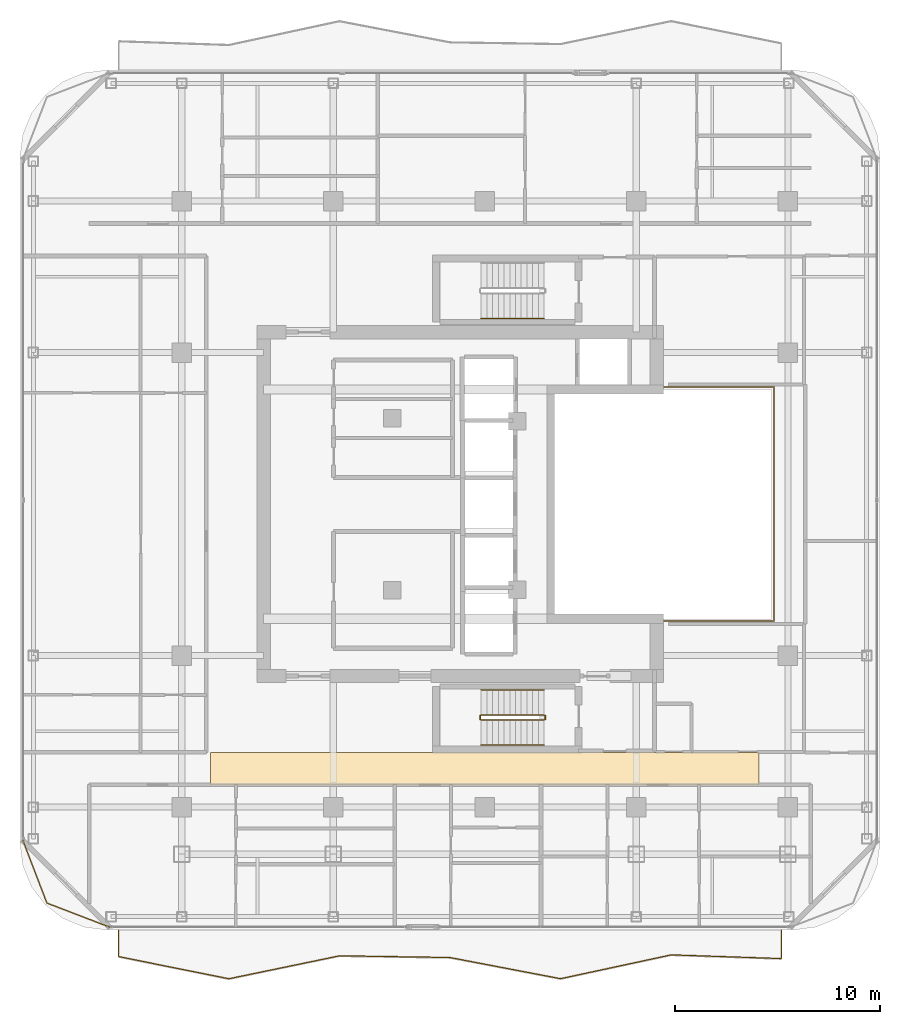
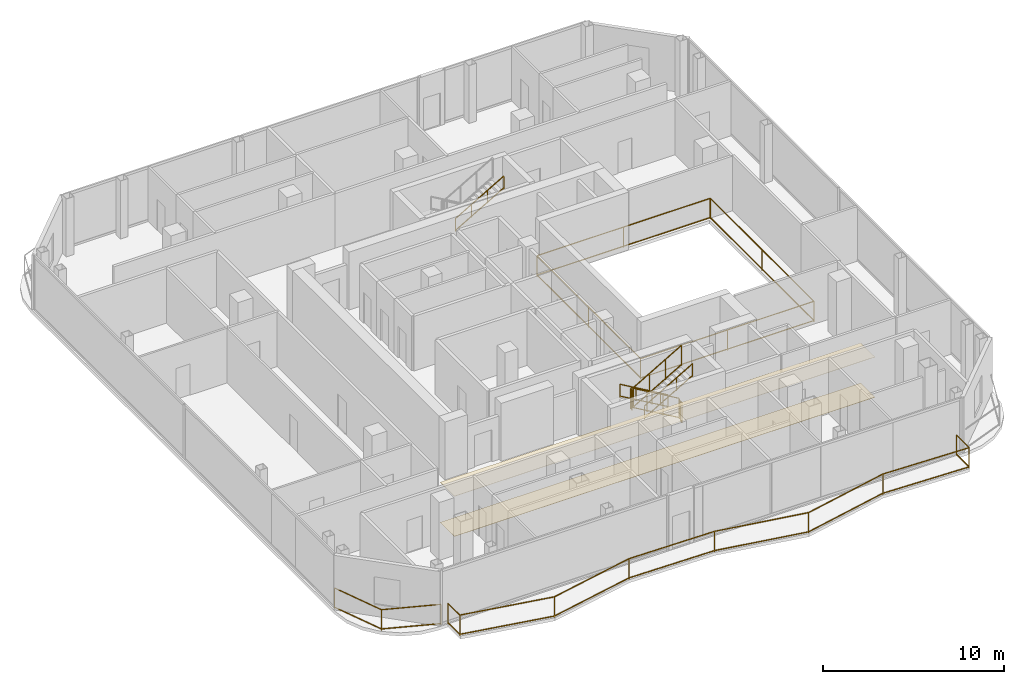
# One storey, part 20 of 22: 10 railings, 2 coverings.
"""IFC4 building model written with IfcOpenShell, lengths in metres."""

from ifc_helpers import new_model, si_unit, direction, frame, origin, origin_2d, place, context, subcontext, project, spatial, polyline, rectangle, outline, extrude, material, layer, layer_set, type_object, element, save


model = new_model("IFC4")

# Units and contexts
model_context = context("Model", 3, precision=1e-05, world=origin(), true_north=direction((0.0, 1.0)))
body_context = subcontext(model_context, "Body", "Model", "MODEL_VIEW")
ifc_project = project(units=[si_unit("LENGTHUNIT", "METRE"), si_unit("AREAUNIT", "SQUARE_METRE"), si_unit("VOLUMEUNIT", "CUBIC_METRE"), si_unit("PLANEANGLEUNIT", "RADIAN"), si_unit("MASSUNIT", "GRAM", prefix="KILO")], contexts=[model_context])

# Site, building, storey
site_placement = place(None, origin())
site = spatial("IfcSite", under=ifc_project, at=site_placement, CompositionType="ELEMENT")
building_placement = place(site_placement, origin())
building = spatial("IfcBuilding", under=site, at=building_placement, Name="Khorvyn Point Tower", CompositionType="ELEMENT")
storey_placement = place(building_placement, frame((0.0, 0.0, 305.39990234375)))
storey = spatial("IfcBuildingStorey", under=building, at=storey_placement, Name="L75", CompositionType="ELEMENT", Elevation=305.39990234375)

# Railings
ifc_material_1 = material(Name="Stainless steel 1.4401 and laminated glass", Category="steel")
railing_type_1 = type_object("IfcRailingType", Name="Crystal Atrium Smoke-Rated Perimeter Guardrail 1400", PredefinedType="GUARDRAIL", material=ifc_material_1)
railing_1_placement = place(storey_placement, frame((3.080078125, -5.719970703125, 0.0)))
element("IfcRailing", 1, at=railing_1_placement, inside=storey, type_object=railing_type_1, Name="L75 Crystal Atrium Perimeter Guardrail", PredefinedType="GUARDRAIL", context=body_context, shape_type="SweptSolid", body=[
    extrude(rectangle(XDim=0.048095703125, YDim=0.048095703125, at=origin_2d()), frame((0.0, 0.0, 1.3759765625), z_axis=(1.0, 0.0, 0.0), x_axis=(0.0, 1.0, 0.0)), (0.0, 0.0, 1.0), 11.0400390625),
    extrude(rectangle(XDim=0.048095703125, YDim=0.048095703125, at=origin_2d()), frame((0.0, 0.0, 0.080078125), z_axis=(1.0, 0.0, 0.0), x_axis=(0.0, 1.0, 0.0)), (0.0, 0.0, 1.0), 11.0400390625),
    extrude(rectangle(XDim=0.048095703125, YDim=0.048095703125, at=origin_2d()), frame((11.0400390625, 0.0, 1.3759765625), z_axis=(0.0, 1.0, 0.0), x_axis=(-1.0, 0.0, 0.0)), (0.0, 0.0, 1.0), 11.43994140625),
    extrude(rectangle(XDim=0.048095703125, YDim=0.048095703125, at=origin_2d()), frame((11.0400390625, 0.0, 0.080078125), z_axis=(0.0, 1.0, 0.0), x_axis=(-1.0, 0.0, 0.0)), (0.0, 0.0, 1.0), 11.43994140625),
    extrude(rectangle(XDim=0.048095703125, YDim=0.048095703125, at=origin_2d()), frame((11.0400390625, 11.43994140625, 1.3759765625), z_axis=(-1.0, 0.0, 0.0), x_axis=(0.0, -1.0, 0.0)), (0.0, 0.0, 1.0), 11.0400390625),
    extrude(rectangle(XDim=0.048095703125, YDim=0.048095703125, at=origin_2d()), frame((11.0400390625, 11.43994140625, 0.080078125), z_axis=(-1.0, 0.0, 0.0), x_axis=(0.0, -1.0, 0.0)), (0.0, 0.0, 1.0), 11.0400390625),
    extrude(rectangle(XDim=0.048095703125, YDim=0.048095703125, at=origin_2d()), frame((0.0, 11.43994140625, 1.3759765625), z_axis=(0.0, -1.0, 0.0), x_axis=(1.0, 0.0, 0.0)), (0.0, 0.0, 1.0), 11.409912109375),
    extrude(rectangle(XDim=0.048095703125, YDim=0.048095703125, at=origin_2d()), frame((0.0, 11.43994140625, 0.080078125), z_axis=(0.0, -1.0, 0.0), x_axis=(1.0, 0.0, 0.0)), (0.0, 0.0, 1.0), 11.409912109375),
    extrude(rectangle(XDim=0.0419921875, YDim=0.0419921875, at=origin_2d()), origin(), (0.0, 0.0, 1.0), 1.351806640625),
    extrude(rectangle(XDim=0.0419921875, YDim=0.0419921875, at=origin_2d()), frame((5.52001953125, 0.0, 0.0)), (0.0, 0.0, 1.0), 1.351806640625),
    extrude(rectangle(XDim=0.0419921875, YDim=0.0419921875, at=origin_2d()), frame((11.0400390625, 0.0, 0.0)), (0.0, 0.0, 1.0), 1.351806640625),
    extrude(rectangle(XDim=0.0419921875, YDim=0.0419921875, at=origin_2d()), frame((11.0400390625, 5.719970703125, 0.0)), (0.0, 0.0, 1.0), 1.351806640625),
    extrude(rectangle(XDim=0.0419921875, YDim=0.0419921875, at=origin_2d()), frame((11.0400390625, 11.43994140625, 0.0)), (0.0, 0.0, 1.0), 1.351806640625),
    extrude(rectangle(XDim=0.0419921875, YDim=0.0419921875, at=origin_2d()), frame((5.52001953125, 11.43994140625, 0.0)), (0.0, 0.0, 1.0), 1.351806640625),
    extrude(rectangle(XDim=0.0419921875, YDim=0.0419921875, at=origin_2d()), frame((0.0, 11.43994140625, 0.0)), (0.0, 0.0, 1.0), 1.351806640625),
    extrude(rectangle(XDim=0.0419921875, YDim=0.0419921875, at=origin_2d()), frame((0.0, 5.73486328125, 0.0)), (0.0, 0.0, 1.0), 1.351806640625),
    extrude(rectangle(XDim=0.0419921875, YDim=0.0419921875, at=origin_2d()), frame((0.0, 0.030029296875, 0.0)), (0.0, 0.0, 1.0), 1.351806640625),
])
ifc_material_2 = material(Name="Anodised aluminium 6063-T6 and laminated safety glass", Category="aluminium")
railing_type_2 = type_object("IfcRailingType", Name="Laminated Glass and Aluminium Balcony Guardrail 1400", PredefinedType="BALUSTRADE", material=ifc_material_2)
railing_2_placement = place(storey_placement, frame((-22.574462890625, -16.386474609375, 0.0)))
element("IfcRailing", 2, at=railing_2_placement, inside=storey, type_object=railing_type_2, Name="L75 Rounded Corner Edge Guardrail SW", PredefinedType="BALUSTRADE", context=body_context, shape_type="SweptSolid", body=[
    extrude(rectangle(XDim=0.048095703125, YDim=0.048095703125, at=origin_2d()), frame((0.0, 0.0, 1.3759765625), z_axis=(0.358367799998, -0.933580483903, 0.0), x_axis=(0.933580483903, 0.358367799998, 0.0)), (0.0, 0.0, 1.0), 3.319091796875),
    extrude(rectangle(XDim=0.048095703125, YDim=0.048095703125, at=origin_2d()), frame((0.0, 0.0, 0.080078125), z_axis=(0.358367799998, -0.933580483903, 0.0), x_axis=(0.933580483903, 0.358367799998, 0.0)), (0.0, 0.0, 1.0), 3.319091796875),
    extrude(rectangle(XDim=0.048095703125, YDim=0.048095703125, at=origin_2d()), frame((1.189453125, -3.0986328125, 1.3759765625), z_axis=(0.933595647299, -0.358328295484, 0.0), x_axis=(0.358328295484, 0.933595647299, 0.0)), (0.0, 0.0, 1.0), 3.31884765625),
    extrude(rectangle(XDim=0.048095703125, YDim=0.048095703125, at=origin_2d()), frame((1.189453125, -3.0986328125, 0.080078125), z_axis=(0.933595647299, -0.358328295484, 0.0), x_axis=(0.358328295484, 0.933595647299, 0.0)), (0.0, 0.0, 1.0), 3.31884765625),
    extrude(rectangle(XDim=0.0419921875, YDim=0.0419921875, at=origin_2d()), origin(), (0.0, 0.0, 1.0), 1.351806640625),
    extrude(rectangle(XDim=0.0419921875, YDim=0.0419921875, at=origin_2d()), frame((1.189453125, -3.0986328125, 0.0)), (0.0, 0.0, 1.0), 1.351806640625),
    extrude(rectangle(XDim=0.0419921875, YDim=0.0419921875, at=origin_2d()), frame((4.287841796875, -4.287841796875, 0.0)), (0.0, 0.0, 1.0), 1.351806640625),
])
railing_3_placement = place(storey_placement, frame((-17.89990234375, -20.800048828125, 0.0)))
element("IfcRailing", 3, at=railing_3_placement, inside=storey, type_object=railing_type_2, Name="L75 South Balcony Guardrail", PredefinedType="BALUSTRADE", context=body_context, shape_type="SweptSolid", body=[
    extrude(rectangle(XDim=0.048095703125, YDim=0.048095703125, at=origin_2d()), frame((0.0, 0.0, 1.3759765625), z_axis=(0.0, -1.0, 0.0), x_axis=(1.0, 0.0, 0.0)), (0.0, 0.0, 1.0), 1.294921875),
    extrude(rectangle(XDim=0.048095703125, YDim=0.048095703125, at=origin_2d()), frame((0.0, 0.0, 0.080078125), z_axis=(0.0, -1.0, 0.0), x_axis=(1.0, 0.0, 0.0)), (0.0, 0.0, 1.0), 1.294921875),
    extrude(rectangle(XDim=0.048095703125, YDim=0.048095703125, at=origin_2d()), frame((0.0, -1.294921875, 1.3759765625), z_axis=(0.980320704809, -0.197411538983, 0.0), x_axis=(0.197411538983, 0.980320704809, 0.0)), (0.0, 0.0, 1.0), 5.50830078125),
    extrude(rectangle(XDim=0.048095703125, YDim=0.048095703125, at=origin_2d()), frame((0.0, -1.294921875, 0.080078125), z_axis=(0.980320704809, -0.197411538983, 0.0), x_axis=(0.197411538983, 0.980320704809, 0.0)), (0.0, 0.0, 1.0), 5.50830078125),
    extrude(rectangle(XDim=0.048095703125, YDim=0.048095703125, at=origin_2d()), frame((5.39990234375, -2.38232421875, 1.3759765625), z_axis=(0.979164905704, 0.203066706866, 0.0), x_axis=(-0.203066706866, 0.979164905704, 0.0)), (0.0, 0.0, 1.0), 5.514892578125),
    extrude(rectangle(XDim=0.048095703125, YDim=0.048095703125, at=origin_2d()), frame((5.39990234375, -2.38232421875, 0.080078125), z_axis=(0.979164905704, 0.203066706866, 0.0), x_axis=(-0.203066706866, 0.979164905704, 0.0)), (0.0, 0.0, 1.0), 5.514892578125),
    extrude(rectangle(XDim=0.048095703125, YDim=0.048095703125, at=origin_2d()), frame((10.7998046875, -1.262451171875, 1.3759765625), z_axis=(0.99988188096, -0.015369584499, 0.0), x_axis=(0.015369584499, 0.99988188096, 0.0)), (0.0, 0.0, 1.0), 5.40087890625),
    extrude(rectangle(XDim=0.048095703125, YDim=0.048095703125, at=origin_2d()), frame((10.7998046875, -1.262451171875, 0.080078125), z_axis=(0.99988188096, -0.015369584499, 0.0), x_axis=(0.015369584499, 0.99988188096, 0.0)), (0.0, 0.0, 1.0), 5.40087890625),
    extrude(rectangle(XDim=0.048095703125, YDim=0.048095703125, at=origin_2d()), frame((16.199951171875, -1.345458984375, 1.3759765625), z_axis=(0.982190951701, -0.187885428911, 0.0), x_axis=(0.187885428911, 0.982190951701, 0.0)), (0.0, 0.0, 1.0), 5.497802734375),
    extrude(rectangle(XDim=0.048095703125, YDim=0.048095703125, at=origin_2d()), frame((16.199951171875, -1.345458984375, 0.080078125), z_axis=(0.982190951701, -0.187885428911, 0.0), x_axis=(0.187885428911, 0.982190951701, 0.0)), (0.0, 0.0, 1.0), 5.497802734375),
    extrude(rectangle(XDim=0.048095703125, YDim=0.048095703125, at=origin_2d()), frame((21.599853515625, -2.37841796875, 1.3759765625), z_axis=(0.977609904647, 0.210425460284, 0.0), x_axis=(-0.210425460284, 0.977609904647, 0.0)), (0.0, 0.0, 1.0), 5.52392578125),
    extrude(rectangle(XDim=0.048095703125, YDim=0.048095703125, at=origin_2d()), frame((21.599853515625, -2.37841796875, 0.080078125), z_axis=(0.977609904647, 0.210425460284, 0.0), x_axis=(-0.210425460284, 0.977609904647, 0.0)), (0.0, 0.0, 1.0), 5.52392578125),
    extrude(rectangle(XDim=0.048095703125, YDim=0.048095703125, at=origin_2d()), frame((27.0, -1.216064453125, 1.3759765625), z_axis=(0.999434730171, -0.033618746688, 0.0), x_axis=(0.033618746688, 0.999434730171, 0.0)), (0.0, 0.0, 1.0), 5.403076171875),
    extrude(rectangle(XDim=0.048095703125, YDim=0.048095703125, at=origin_2d()), frame((27.0, -1.216064453125, 0.080078125), z_axis=(0.999434730171, -0.033618746688, 0.0), x_axis=(0.033618746688, 0.999434730171, 0.0)), (0.0, 0.0, 1.0), 5.403076171875),
    extrude(rectangle(XDim=0.048095703125, YDim=0.048095703125, at=origin_2d()), frame((32.39990234375, -1.397705078125, 1.3759765625), z_axis=(0.0, 1.0, 0.0), x_axis=(-1.0, 0.0, 0.0)), (0.0, 0.0, 1.0), 1.397705078125),
    extrude(rectangle(XDim=0.048095703125, YDim=0.048095703125, at=origin_2d()), frame((32.39990234375, -1.397705078125, 0.080078125), z_axis=(0.0, 1.0, 0.0), x_axis=(-1.0, 0.0, 0.0)), (0.0, 0.0, 1.0), 1.397705078125),
    extrude(rectangle(XDim=0.0419921875, YDim=0.0419921875, at=origin_2d()), origin(), (0.0, 0.0, 1.0), 1.351806640625),
    extrude(rectangle(XDim=0.0419921875, YDim=0.0419921875, at=origin_2d()), frame((0.0, -1.294921875, 0.0)), (0.0, 0.0, 1.0), 1.351806640625),
    extrude(rectangle(XDim=0.0419921875, YDim=0.0419921875, at=origin_2d()), frame((5.39990234375, -2.38232421875, 0.0)), (0.0, 0.0, 1.0), 1.351806640625),
    extrude(rectangle(XDim=0.0419921875, YDim=0.0419921875, at=origin_2d()), frame((10.7998046875, -1.262451171875, 0.0)), (0.0, 0.0, 1.0), 1.351806640625),
    extrude(rectangle(XDim=0.0419921875, YDim=0.0419921875, at=origin_2d()), frame((16.199951171875, -1.345458984375, 0.0)), (0.0, 0.0, 1.0), 1.351806640625),
    extrude(rectangle(XDim=0.0419921875, YDim=0.0419921875, at=origin_2d()), frame((21.599853515625, -2.37841796875, 0.0)), (0.0, 0.0, 1.0), 1.351806640625),
    extrude(rectangle(XDim=0.0419921875, YDim=0.0419921875, at=origin_2d()), frame((27.0, -1.216064453125, 0.0)), (0.0, 0.0, 1.0), 1.351806640625),
    extrude(rectangle(XDim=0.0419921875, YDim=0.0419921875, at=origin_2d()), frame((32.39990234375, -1.397705078125, 0.0)), (0.0, 0.0, 1.0), 1.351806640625),
    extrude(rectangle(XDim=0.0419921875, YDim=0.0419921875, at=origin_2d()), frame((32.39990234375, 0.0, 0.0)), (0.0, 0.0, 1.0), 1.351806640625),
])

# Coverings
ifc_material_3 = material(Name="Mineral-fibre acoustic ceiling board", Category="gypsum")
ifc_layer_1 = layer(ifc_material_3, 0.02001953125)
ifc_layer_set_1 = layer_set([ifc_layer_1], Name="Perforated Mineral-Fibre Acoustic Suspended Ceiling 20")
covering_type_1 = type_object("IfcCoveringType", Name="Perforated Mineral-Fibre Acoustic Suspended Ceiling 20", PredefinedType="CEILING", material=ifc_layer_set_1)
covering_1_placement = place(storey_placement, frame((0.0, 0.0, 2.7001953125)))
element("IfcCovering", 4, at=covering_1_placement, inside=storey, type_object=covering_type_1, Name="L75 South Corridor Acoustic Ceiling", PredefinedType="CEILING", context=body_context, shape_type="SweptSolid", body=[
    extrude(outline(polyline([(-13.39990234375, -13.7099609375), (13.39990234375, -13.7099609375), (13.39990234375, -12.139892578125), (-13.39990234375, -12.139892578125), (-13.39990234375, -13.7099609375)])), origin(), (0.0, 0.0, 1.0), 0.02001953125),
])
ifc_material_4 = material(Name="Vitrified porcelain terrazzo tile", Category="ceramic")
ifc_layer_2 = layer(ifc_material_4, 0.01806640625)
ifc_layer_set_2 = layer_set([ifc_layer_2], Name="Porcelain Terrazzo Corridor Floor Finish Tile 18")
covering_type_2 = type_object("IfcCoveringType", Name="Porcelain Terrazzo Corridor Floor Finish Tile 18", PredefinedType="FLOORING", material=ifc_layer_set_2)
covering_2_placement = place(storey_placement, origin())
element("IfcCovering", 5, at=covering_2_placement, inside=storey, type_object=covering_type_2, Name="L75 South Corridor Terrazzo Flooring", PredefinedType="FLOORING", context=body_context, shape_type="SweptSolid", body=[
    extrude(outline(polyline([(-13.39990234375, -13.7099609375), (13.39990234375, -13.7099609375), (13.39990234375, -12.139892578125), (-13.39990234375, -12.139892578125), (-13.39990234375, -13.7099609375)])), origin(), (0.0, 0.0, 1.0), 0.01806640625),
])

# Railings
ifc_material_5 = material(Name="Stainless steel 1.4301", Category="steel")
railing_type_3 = type_object("IfcRailingType", Name="Stainless Steel 304 Stair Pitch Handrail 900", PredefinedType="HANDRAIL", material=ifc_material_5)
railing_4_placement = place(storey_placement, frame((2.89990234375, -9.070068359375, 0.16259765625)))
element("IfcRailing", 6, at=railing_4_placement, inside=storey, type_object=railing_type_3, Name="L75 ST-01 stair handrail 1", PredefinedType="HANDRAIL", context=body_context, shape_type="SweptSolid", body=[
    extrude(rectangle(XDim=0.048095703125, YDim=0.048095703125, at=origin_2d()), frame((0.0, 0.0, 0.8759765625), z_axis=(-0.864873446163, 0.0, 0.501989962173), x_axis=(0.0, -1.0, 0.0)), (0.0, 0.0, 1.0), 3.56103515625),
    extrude(rectangle(XDim=0.048095703125, YDim=0.048095703125, at=origin_2d()), frame((0.0, 0.0, 0.080078125), z_axis=(-0.864873446163, 0.0, 0.501989962173), x_axis=(0.0, -1.0, 0.0)), (0.0, 0.0, 1.0), 3.56103515625),
    extrude(rectangle(XDim=0.0419921875, YDim=0.0419921875, at=origin_2d()), origin(), (0.0, 0.0, 1.0), 0.851806640625),
    extrude(rectangle(XDim=0.0419921875, YDim=0.0419921875, at=origin_2d()), frame((-1.026611328125, 0.0, 0.595947265625)), (0.0, 0.0, 1.0), 0.851806640625),
    extrude(rectangle(XDim=0.0419921875, YDim=0.0419921875, at=origin_2d()), frame((-2.05322265625, 0.0, 1.191650390625)), (0.0, 0.0, 1.0), 0.851806640625),
    extrude(rectangle(XDim=0.0419921875, YDim=0.0419921875, at=origin_2d()), frame((-3.079833984375, 0.0, 1.78759765625)), (0.0, 0.0, 1.0), 0.851806640625),
])
for number, where, name in (
    (7, (-0.179931640625, -11.77001953125, 2.112548828125), "L75 ST-01 stair handrail 2"),
    (8, (-0.179931640625, 9.070068359375, 2.112548828125), "L75 ST-02 stair handrail 2"),
):
    element("IfcRailing", number, at=place(storey_placement, frame(where)), inside=storey, type_object=railing_type_3, Name=name, PredefinedType="HANDRAIL", context=body_context, shape_type="SweptSolid", body=[
        extrude(rectangle(XDim=0.048095703125, YDim=0.048095703125, at=origin_2d()), frame((0.0, 0.0, 0.8759765625), z_axis=(0.864873446163, 0.0, 0.501989962173), x_axis=(0.0, 1.0, 0.0)), (0.0, 0.0, 1.0), 3.56103515625),
        extrude(rectangle(XDim=0.048095703125, YDim=0.048095703125, at=origin_2d()), frame((0.0, 0.0, 0.080078125), z_axis=(0.864873446163, 0.0, 0.501989962173), x_axis=(0.0, 1.0, 0.0)), (0.0, 0.0, 1.0), 3.56103515625),
        extrude(rectangle(XDim=0.0419921875, YDim=0.0419921875, at=origin_2d()), origin(), (0.0, 0.0, 1.0), 0.851806640625),
        extrude(rectangle(XDim=0.0419921875, YDim=0.0419921875, at=origin_2d()), frame((1.026611328125, 0.0, 0.595947265625)), (0.0, 0.0, 1.0), 0.851806640625),
        extrude(rectangle(XDim=0.0419921875, YDim=0.0419921875, at=origin_2d()), frame((2.05322265625, 0.0, 1.191650390625)), (0.0, 0.0, 1.0), 0.851806640625),
        extrude(rectangle(XDim=0.0419921875, YDim=0.0419921875, at=origin_2d()), frame((3.079833984375, 0.0, 1.78759765625)), (0.0, 0.0, 1.0), 0.851806640625),
    ])
railing_type_4 = type_object("IfcRailingType", Name="Stainless Steel 304 Stair Well Guardrail 1400", PredefinedType="GUARDRAIL", material=ifc_material_5)
railing_5_placement = place(storey_placement, frame((2.89990234375, -10.2900390625, 0.16259765625)))
element("IfcRailing", 9, at=railing_5_placement, inside=storey, type_object=railing_type_4, Name="L75 ST-01 stair guard 1", PredefinedType="GUARDRAIL", context=body_context, shape_type="SweptSolid", body=[
    extrude(rectangle(XDim=0.048095703125, YDim=0.048095703125, at=origin_2d()), frame((0.0, 0.0, 1.3759765625), z_axis=(-0.864873446163, 0.0, 0.501989962173), x_axis=(0.0, -1.0, 0.0)), (0.0, 0.0, 1.0), 3.56103515625),
    extrude(rectangle(XDim=0.048095703125, YDim=0.048095703125, at=origin_2d()), frame((0.0, 0.0, 0.080078125), z_axis=(-0.864873446163, 0.0, 0.501989962173), x_axis=(0.0, -1.0, 0.0)), (0.0, 0.0, 1.0), 3.56103515625),
    extrude(rectangle(XDim=0.0419921875, YDim=0.0419921875, at=origin_2d()), origin(), (0.0, 0.0, 1.0), 1.351806640625),
    extrude(rectangle(XDim=0.0419921875, YDim=0.0419921875, at=origin_2d()), frame((-1.026611328125, 0.0, 0.595947265625)), (0.0, 0.0, 1.0), 1.351806640625),
    extrude(rectangle(XDim=0.0419921875, YDim=0.0419921875, at=origin_2d()), frame((-2.05322265625, 0.0, 1.191650390625)), (0.0, 0.0, 1.0), 1.351806640625),
    extrude(rectangle(XDim=0.0419921875, YDim=0.0419921875, at=origin_2d()), frame((-3.079833984375, 0.0, 1.78759765625)), (0.0, 0.0, 1.0), 1.351806640625),
])
railing_6_placement = place(storey_placement, frame((-0.22998046875, -10.340087890625, 1.9501953125)))
element("IfcRailing", 10, at=railing_6_placement, inside=storey, type_object=railing_type_4, Name="L75 ST-01 stair guard 2", PredefinedType="GUARDRAIL", context=body_context, shape_type="SweptSolid", body=[
    extrude(rectangle(XDim=0.048095703125, YDim=0.048095703125, at=origin_2d()), frame((0.0, 0.0, 1.3759765625), z_axis=(0.0, -1.0, 0.0), x_axis=(1.0, 0.0, 0.0)), (0.0, 0.0, 1.0), 0.159912109375),
    extrude(rectangle(XDim=0.048095703125, YDim=0.048095703125, at=origin_2d()), frame((0.0, 0.0, 0.080078125), z_axis=(0.0, -1.0, 0.0), x_axis=(1.0, 0.0, 0.0)), (0.0, 0.0, 1.0), 0.159912109375),
    extrude(rectangle(XDim=0.0419921875, YDim=0.0419921875, at=origin_2d()), origin(), (0.0, 0.0, 1.0), 1.351806640625),
    extrude(rectangle(XDim=0.0419921875, YDim=0.0419921875, at=origin_2d()), frame((0.0, -0.159912109375, 0.0)), (0.0, 0.0, 1.0), 1.351806640625),
])
railing_7_placement = place(storey_placement, frame((-0.179931640625, -10.550048828125, 2.112548828125)))
element("IfcRailing", 11, at=railing_7_placement, inside=storey, type_object=railing_type_4, Name="L75 ST-01 stair guard 3", PredefinedType="GUARDRAIL", context=body_context, shape_type="SweptSolid", body=[
    extrude(rectangle(XDim=0.048095703125, YDim=0.048095703125, at=origin_2d()), frame((0.0, 0.0, 1.3759765625), z_axis=(0.864873446163, 0.0, 0.501989962173), x_axis=(0.0, 1.0, 0.0)), (0.0, 0.0, 1.0), 3.56103515625),
    extrude(rectangle(XDim=0.048095703125, YDim=0.048095703125, at=origin_2d()), frame((0.0, 0.0, 0.080078125), z_axis=(0.864873446163, 0.0, 0.501989962173), x_axis=(0.0, 1.0, 0.0)), (0.0, 0.0, 1.0), 3.56103515625),
    extrude(rectangle(XDim=0.0419921875, YDim=0.0419921875, at=origin_2d()), origin(), (0.0, 0.0, 1.0), 1.351806640625),
    extrude(rectangle(XDim=0.0419921875, YDim=0.0419921875, at=origin_2d()), frame((1.026611328125, 0.0, 0.595947265625)), (0.0, 0.0, 1.0), 1.351806640625),
    extrude(rectangle(XDim=0.0419921875, YDim=0.0419921875, at=origin_2d()), frame((2.05322265625, 0.0, 1.191650390625)), (0.0, 0.0, 1.0), 1.351806640625),
    extrude(rectangle(XDim=0.0419921875, YDim=0.0419921875, at=origin_2d()), frame((3.079833984375, 0.0, 1.78759765625)), (0.0, 0.0, 1.0), 1.351806640625),
])
railing_8_placement = place(storey_placement, frame((2.949951171875, -10.340087890625, 0.0)))
element("IfcRailing", 12, at=railing_8_placement, inside=storey, type_object=railing_type_4, Name="L75 ST-01 stair guard 4", PredefinedType="GUARDRAIL", context=body_context, shape_type="SweptSolid", body=[
    extrude(rectangle(XDim=0.048095703125, YDim=0.048095703125, at=origin_2d()), frame((0.0, 0.0, 1.3759765625), z_axis=(0.0, -1.0, 0.0), x_axis=(1.0, 0.0, 0.0)), (0.0, 0.0, 1.0), 0.159912109375),
    extrude(rectangle(XDim=0.048095703125, YDim=0.048095703125, at=origin_2d()), frame((0.0, 0.0, 0.080078125), z_axis=(0.0, -1.0, 0.0), x_axis=(1.0, 0.0, 0.0)), (0.0, 0.0, 1.0), 0.159912109375),
    extrude(rectangle(XDim=0.0419921875, YDim=0.0419921875, at=origin_2d()), origin(), (0.0, 0.0, 1.0), 1.351806640625),
    extrude(rectangle(XDim=0.0419921875, YDim=0.0419921875, at=origin_2d()), frame((0.0, -0.159912109375, 0.0)), (0.0, 0.0, 1.0), 1.351806640625),
])

save(model, "model.ifc")
